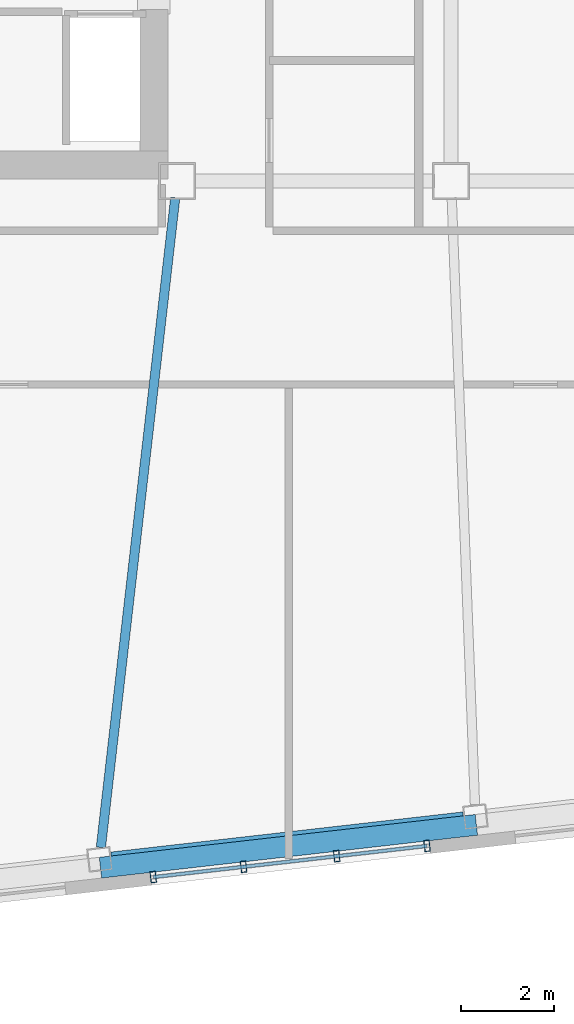
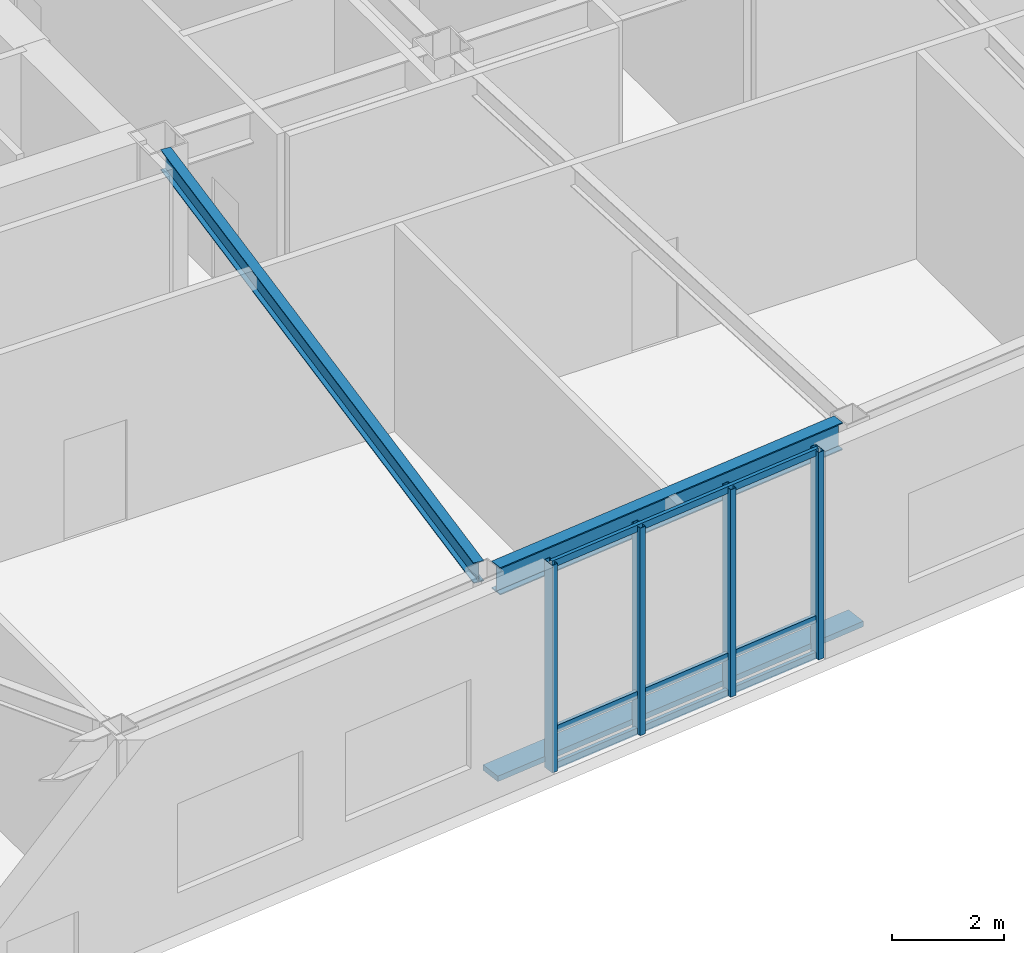
# One storey, part 6 of 21: 8 members, 2 beams, 1 element without a shape of its own.
"""IFC4 building model written with IfcOpenShell, lengths in metres."""

from ifc_helpers import new_model, si_unit, direction, frame, origin, origin_2d, place, context, subcontext, project, spatial, rectangle, hollow_rectangle, i_section, extrude, material, layer, layer_set, material_profile, profile_set, type_object, element, aggregate, save


model = new_model("IFC4")

# Units and contexts
model_context = context("Model", 3, precision=1e-05, world=origin(), true_north=direction((0.0, 1.0)))
body_context = subcontext(model_context, "Body", "Model", "MODEL_VIEW")
ifc_project = project(units=[si_unit("LENGTHUNIT", "METRE"), si_unit("AREAUNIT", "SQUARE_METRE"), si_unit("VOLUMEUNIT", "CUBIC_METRE"), si_unit("PLANEANGLEUNIT", "RADIAN"), si_unit("MASSUNIT", "GRAM", prefix="KILO")], contexts=[model_context])

# Site, building, storey
site_placement = place(None, origin())
site = spatial("IfcSite", under=ifc_project, at=site_placement, CompositionType="ELEMENT")
building_placement = place(site_placement, origin())
building = spatial("IfcBuilding", under=site, at=building_placement, Name="Tavrogorsk Clinical Tower", CompositionType="ELEMENT")
storey_placement = place(building_placement, frame((0.0, 0.0, 238.199951171875)))
storey = spatial("IfcBuildingStorey", under=building, at=storey_placement, Name="L55", CompositionType="ELEMENT", Elevation=238.199951171875)

# Member
ifc_material_1 = material(Name="Anodised aluminium alloy AW-6063", Category="aluminium")
ifc_material_profile_1 = material_profile(ifc_material_1, rectangle(XDim=0.449951171875, YDim=0.1201171875, at=origin_2d()), Name="ALU-SUNSHADE-450x120")
ifc_profile_set_1 = profile_set([ifc_material_profile_1], Name="Anodised aluminium alloy AW-6063")
member_type_1 = type_object("IfcMemberType", Name="ChicagoSunshade_450x120", PredefinedType="USERDEFINED", material=ifc_profile_set_1)
member_1_placement = place(storey_placement, frame((-11.951904296875, -21.136474609375, 0.179931640625), z_axis=(0.9935729766, 0.113193375116, 0.0), x_axis=(-0.113193375116, 0.9935729766, 0.0)))
element("IfcMember", 1, at=member_1_placement, inside=storey, type_object=member_type_1, Name="L55 South Aluminium Sunshade S3", ObjectType="SUNSHADE", PredefinedType="USERDEFINED", context=body_context, shape_type="SweptSolid", body=[
    extrude(rectangle(XDim=0.449951171875, YDim=0.1201171875, at=origin_2d()), origin(), (0.0, 0.0, 1.0), 8.148681640625),
])

# Curtain wall, members
ifc_material_2 = material(Name="Anodised aluminium and triple IGU glazing", Category="aluminium")
ifc_layer = layer(ifc_material_2, 0.179931640625)
ifc_layer_set = layer_set([ifc_layer], Name="Anodised aluminium and triple IGU glazing")
curtain_wall_type = type_object("IfcCurtainWallType", Name="CW5_SkyLobby", PredefinedType="NOTDEFINED", material=ifc_layer_set)
curtain_wall_placement = place(storey_placement, origin())
curtain_wall = element("IfcCurtainWall", 2, at=curtain_wall_placement, inside=storey, type_object=curtain_wall_type, Name="L55 Curtain Wall CW-L55-S-CW5-1", PredefinedType="NOTDEFINED")
ifc_material_3 = material(Name="Anodised aluminium alloy AW-6060", Category="aluminium")
ifc_material_profile_2 = material_profile(ifc_material_3, hollow_rectangle(XDim=0.1201171875, YDim=0.239990234375, WallThickness=0.008056640625, at=origin_2d()), Name="RHS-240x120x8")
ifc_profile_set_2 = profile_set([ifc_material_profile_2], Name="Anodised aluminium alloy AW-6060")
member_type_2 = type_object("IfcMemberType", Name="CwMullion_240x120", PredefinedType="MULLION", material=ifc_profile_set_2)
member_2_placement = place(storey_placement, frame((-10.8154296875, -21.339111328125, 0.0), z_axis=(0.0, 0.0, 1.0), x_axis=(0.993571849076, 0.113203271705, 0.0)))
member_2 = element("IfcMember", 3, at=member_2_placement, type_object=member_type_2, Name="CW-L55-S-CW5-1 Mullion 1", PredefinedType="MULLION", context=body_context, shape_type="SweptSolid", body=[
    extrude(hollow_rectangle(XDim=0.1201171875, YDim=0.239990234375, WallThickness=0.008056640625, at=origin_2d()), origin(), (0.0, 0.0, 1.0), 4.5400390625),
])
member_3_placement = place(storey_placement, frame((-8.869384765625, -21.117431640625, 0.0), z_axis=(0.0, 0.0, 1.0), x_axis=(0.993571849076, 0.113203271705, 0.0)))
member_3 = element("IfcMember", 4, at=member_3_placement, type_object=member_type_2, Name="CW-L55-S-CW5-1 Mullion 2", PredefinedType="MULLION", context=body_context, shape_type="SweptSolid", body=[
    extrude(hollow_rectangle(XDim=0.1201171875, YDim=0.239990234375, WallThickness=0.008056640625, at=origin_2d()), origin(), (0.0, 0.0, 1.0), 4.5400390625),
])
member_4_placement = place(storey_placement, frame((-6.86376953125, -20.888916015625, 0.0), z_axis=(0.0, 0.0, 1.0), x_axis=(0.993571849076, 0.113203271705, 0.0)))
member_4 = element("IfcMember", 5, at=member_4_placement, type_object=member_type_2, Name="CW-L55-S-CW5-1 Mullion 3", PredefinedType="MULLION", context=body_context, shape_type="SweptSolid", body=[
    extrude(hollow_rectangle(XDim=0.1201171875, YDim=0.239990234375, WallThickness=0.008056640625, at=origin_2d()), origin(), (0.0, 0.0, 1.0), 4.5400390625),
])
member_5_placement = place(storey_placement, frame((-4.91748046875, -20.667236328125, 0.0), z_axis=(0.0, 0.0, 1.0), x_axis=(0.993571849076, 0.113203271705, 0.0)))
member_5 = element("IfcMember", 6, at=member_5_placement, type_object=member_type_2, Name="CW-L55-S-CW5-1 Mullion 4", PredefinedType="MULLION", context=body_context, shape_type="SweptSolid", body=[
    extrude(hollow_rectangle(XDim=0.1201171875, YDim=0.239990234375, WallThickness=0.008056640625, at=origin_2d()), origin(), (0.0, 0.0, 1.0), 4.5400390625),
])
ifc_material_4 = material(Name="Anodised aluminium alloy AW-6060", Category="aluminium")
ifc_material_profile_3 = material_profile(ifc_material_4, hollow_rectangle(XDim=0.074951171875, YDim=0.14990234375, WallThickness=0.0048828125, at=origin_2d()), Name="RHS-150x75x5")
ifc_profile_set_3 = profile_set([ifc_material_profile_3], Name="Anodised aluminium alloy AW-6060")
member_type_3 = type_object("IfcMemberType", Name="CwTransom_150x75", PredefinedType="USERDEFINED", material=ifc_profile_set_3)
member_6_placement = place(storey_placement, frame((-10.8154296875, -21.339111328125, 0.050048828125), z_axis=(0.993573966887, 0.113184682377, 0.0), x_axis=(-0.113184682377, 0.993573966887, 0.0)))
member_6 = element("IfcMember", 7, at=member_6_placement, type_object=member_type_3, Name="CW-L55-S-CW5-1 Transom 1", ObjectType="TRANSOM", PredefinedType="USERDEFINED", context=body_context, shape_type="SweptSolid", body=[
    extrude(hollow_rectangle(XDim=0.074951171875, YDim=0.14990234375, WallThickness=0.0048828125, at=origin_2d()), origin(), (0.0, 0.0, 1.0), 5.93603515625),
])
member_7_placement = place(storey_placement, frame((-10.8154296875, -21.339111328125, 0.85009765625), z_axis=(0.993573966887, 0.113184682377, 0.0), x_axis=(-0.113184682377, 0.993573966887, 0.0)))
member_7 = element("IfcMember", 8, at=member_7_placement, type_object=member_type_3, Name="CW-L55-S-CW5-1 Transom 2", ObjectType="TRANSOM", PredefinedType="USERDEFINED", context=body_context, shape_type="SweptSolid", body=[
    extrude(hollow_rectangle(XDim=0.074951171875, YDim=0.14990234375, WallThickness=0.0048828125, at=origin_2d()), origin(), (0.0, 0.0, 1.0), 5.93603515625),
])
member_8_placement = place(storey_placement, frame((-10.8154296875, -21.339111328125, 4.489990234375), z_axis=(0.993573966887, 0.113184682377, 0.0), x_axis=(-0.113184682377, 0.993573966887, 0.0)))
member_8 = element("IfcMember", 9, at=member_8_placement, type_object=member_type_3, Name="CW-L55-S-CW5-1 Transom 3", ObjectType="TRANSOM", PredefinedType="USERDEFINED", context=body_context, shape_type="SweptSolid", body=[
    extrude(hollow_rectangle(XDim=0.074951171875, YDim=0.14990234375, WallThickness=0.0048828125, at=origin_2d()), origin(), (0.0, 0.0, 1.0), 5.93603515625),
])
aggregate(curtain_wall, [member_2, member_3, member_4, member_5, member_6, member_7, member_8])

# Beams
ifc_material_5 = material(Name="Structural steel S355", Category="steel")
ifc_material_profile_4 = material_profile(ifc_material_5, i_section(OverallWidth=0.199951171875, OverallDepth=0.449951171875, WebThickness=0.011474609375, FlangeThickness=0.01806640625, at=origin_2d()), Name="B-450x200x11.5x18")
ifc_profile_set_4 = profile_set([ifc_material_profile_4], Name="Structural steel S355")
beam_type_1 = type_object("IfcBeamType", Name="FloorBeam_B450", PredefinedType="BEAM", material=ifc_profile_set_4)
beam_1_placement = place(storey_placement, frame((-10.341064453125, -6.707763671875, 4.31494140625), z_axis=(-0.113743110947, -0.993510193562, 0.0), x_axis=(0.993510193562, -0.113743110947, 0.0)))
element("IfcBeam", 10, at=beam_1_placement, inside=storey, type_object=beam_type_1, Name="L55 Radial Floor Beam S3", PredefinedType="BEAM", context=body_context, shape_type="SweptSolid", body=[
    extrude(i_section(OverallWidth=0.199951171875, OverallDepth=0.449951171875, WebThickness=0.011474609375, FlangeThickness=0.01806640625, at=origin_2d()), origin(), (0.0, 0.0, 1.0), 14.084716796875),
])
ifc_material_6 = material(Name="Structural steel S390", Category="steel")
ifc_material_profile_5 = material_profile(ifc_material_6, i_section(OverallWidth=0.260009765625, OverallDepth=0.60009765625, WebThickness=0.014892578125, FlangeThickness=0.02392578125, at=origin_2d()), Name="B-600x260x15x24")
ifc_profile_set_5 = profile_set([ifc_material_profile_5], Name="Structural steel S390")
beam_type_2 = type_object("IfcBeamType", Name="SpandrelBeam_B600", PredefinedType="SPANDREL", material=ifc_profile_set_5)
beam_2_placement = place(storey_placement, frame((-11.716064453125, -20.928466796875, 4.239990234375), z_axis=(0.993572509708, 0.113197473259, 0.0), x_axis=(-0.113197473259, 0.993572509708, 0.0)))
element("IfcBeam", 11, at=beam_2_placement, inside=storey, type_object=beam_type_2, Name="L55 Perimeter Spandrel S3-S4", PredefinedType="SPANDREL", context=body_context, shape_type="SweptSolid", body=[
    extrude(i_section(OverallWidth=0.260009765625, OverallDepth=0.60009765625, WebThickness=0.014892578125, FlangeThickness=0.02392578125, at=origin_2d()), origin(), (0.0, 0.0, 1.0), 7.6328125),
])

save(model, "model.ifc")
